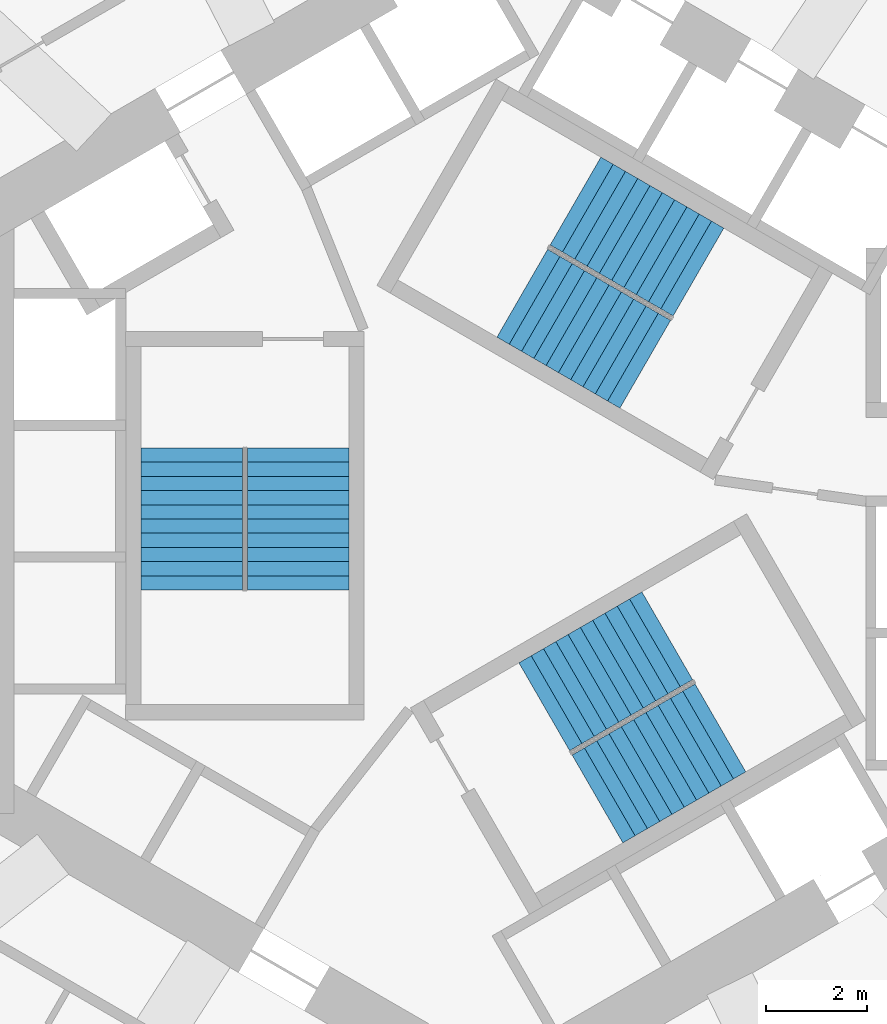
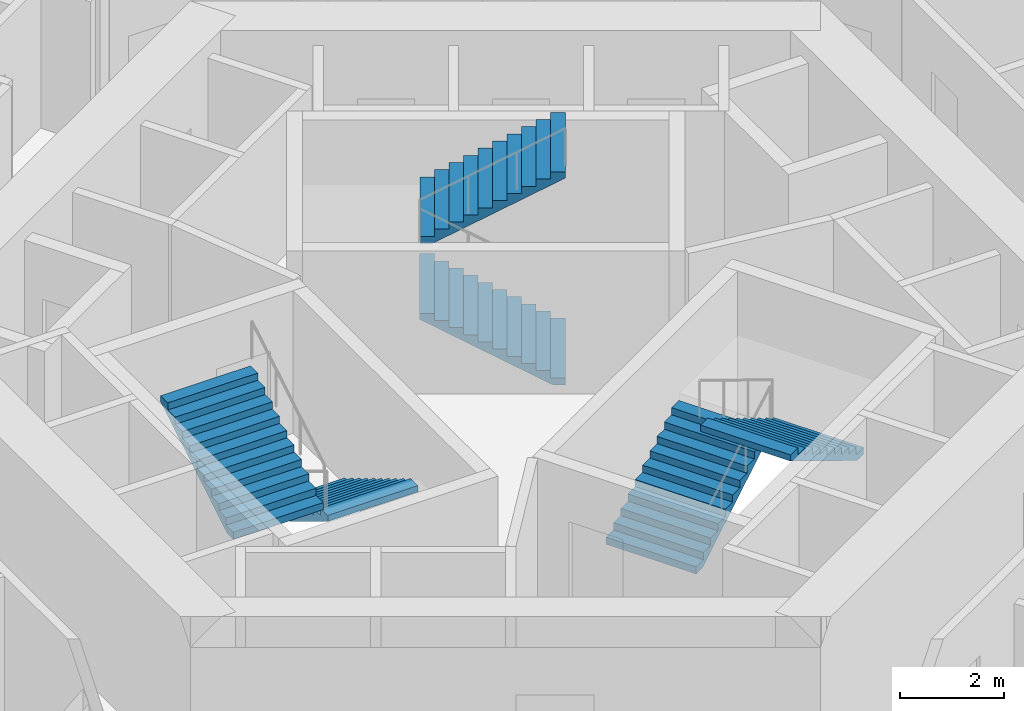
# One storey, part 9 of 11: 6 stair flights, 3 elements without a shape of their own.
"""IFC4 building model written with IfcOpenShell, lengths in metres."""

from ifc_helpers import new_model, si_unit, direction, frame, origin, place, context, subcontext, project, spatial, triangles, source, transform, mapped, material, type_object, element, aggregate, save


model = new_model("IFC4")

# Units and contexts
model_context = context("Model", 3, precision=1e-05, world=origin(), true_north=direction((0.0, 1.0)))
body_context = subcontext(model_context, "Body", "Model", "MODEL_VIEW")
ifc_project = project(units=[si_unit("LENGTHUNIT", "METRE"), si_unit("AREAUNIT", "SQUARE_METRE"), si_unit("VOLUMEUNIT", "CUBIC_METRE"), si_unit("PLANEANGLEUNIT", "RADIAN"), si_unit("MASSUNIT", "GRAM", prefix="KILO")], contexts=[model_context])

# Site, building, storey
site_placement = place(None, origin())
site = spatial("IfcSite", under=ifc_project, at=site_placement, CompositionType="ELEMENT")
building_placement = place(site_placement, origin())
building = spatial("IfcBuilding", under=site, at=building_placement, Name="Vanh Sen Convention Tower", CompositionType="ELEMENT")
storey_placement = place(building_placement, frame((0.0, 0.0, 135.5)))
storey = spatial("IfcBuildingStorey", under=building, at=storey_placement, Name="L33", CompositionType="ELEMENT", Elevation=135.5)

# Stair, stair flights
ifc_material_1 = material(Name="Concrete C50/60", Category="concrete")
stair_type_1 = type_object("IfcStairType", Name="Exit stair ST1 22 risers at 168.2", PredefinedType="HALF_TURN_STAIR", material=ifc_material_1)
stair_1_placement = place(storey_placement, origin())
stair_1 = element("IfcStair", 1, at=stair_1_placement, inside=storey, type_object=stair_type_1, Name="Exit stair ST1 L33", PredefinedType="HALF_TURN_STAIR")
ifc_material_2 = material(Name="Concrete C40/50", Category="concrete")
stair_flight_type = type_object("IfcStairFlightType", Name="Stair flight 2000", PredefinedType="STRAIGHT", material=ifc_material_2)
shared_shape = source(origin(), body_context, "Body", "Tessellation", [
    triangles([(0.24267578125, 1.0, 0.0), (0.0, 1.0, 0.0), (0.0, 1.0, 0.168212890625), (0.280029296875, 1.0, 0.168212890625), (0.280029296875, 1.0, 0.33642578125), (0.56005859375, 1.0, 0.33642578125), (0.56005859375, 1.0, 0.504638671875), (0.840087890625, 1.0, 0.504638671875), (0.840087890625, 1.0, 0.672607421875), (1.1201171875, 1.0, 0.672607421875), (1.1201171875, 1.0, 0.8408203125), (1.39990234375, 1.0, 0.8408203125), (1.39990234375, 1.0, 1.009033203125), (1.679931640625, 1.0, 1.009033203125), (1.679931640625, 1.0, 1.17724609375), (1.9599609375, 1.0, 1.17724609375), (1.9599609375, 1.0, 1.345458984375), (2.239990234375, 1.0, 1.345458984375), (2.239990234375, 1.0, 1.513671875), (2.52001953125, 1.0, 1.513671875), (2.52001953125, 1.0, 1.681884765625), (2.800048828125, 1.0, 1.681884765625), (2.800048828125, 1.0, 1.535888671875), (0.24267578125, -1.0, 0.0), (0.0, -1.0, 0.0), (0.0, -1.0, 0.168212890625), (0.280029296875, -1.0, 0.168212890625), (0.280029296875, -1.0, 0.33642578125), (0.56005859375, -1.0, 0.33642578125), (0.56005859375, -1.0, 0.504638671875), (0.840087890625, -1.0, 0.504638671875), (0.840087890625, -1.0, 0.672607421875), (1.1201171875, -1.0, 0.672607421875), (1.1201171875, -1.0, 0.8408203125), (1.39990234375, -1.0, 0.8408203125), (1.39990234375, -1.0, 1.009033203125), (1.679931640625, -1.0, 1.009033203125), (1.679931640625, -1.0, 1.17724609375), (1.9599609375, -1.0, 1.17724609375), (1.9599609375, -1.0, 1.345458984375), (2.239990234375, -1.0, 1.345458984375), (2.239990234375, -1.0, 1.513671875), (2.52001953125, -1.0, 1.513671875), (2.52001953125, -1.0, 1.681884765625), (2.800048828125, -1.0, 1.681884765625), (2.800048828125, -1.0, 1.535888671875), (0.0, 0.0400390625, 0.0), (0.0, 0.0390625, 0.0), (0.0, 0.0380859375, 0.0), (0.0, 0.037109375, 0.0), (0.0, 0.035888671875, 0.0), (0.0, 0.034912109375, 0.0), (0.0, 0.033935546875, 0.0), (0.0, 0.032958984375, 0.0), (0.0, 0.031982421875, 0.0), (0.0, 0.031005859375, 0.0), (0.0, 0.030029296875, 0.0), (0.0, 0.029052734375, 0.0), (0.0, 0.028076171875, 0.0), (0.0, 0.027099609375, 0.0), (0.0, 0.02587890625, 0.0), (0.0, 0.02490234375, 0.0), (0.0, 0.02392578125, 0.0), (0.0, 0.02294921875, 0.0), (0.0, 0.02197265625, 0.0), (0.0, 0.02099609375, 0.0), (0.0, 0.02001953125, 0.0), (0.0, 0.01904296875, 0.0), (0.0, 0.01806640625, 0.0), (0.0, 0.01708984375, 0.0), (0.0, 0.01611328125, 0.0), (0.0, 0.014892578125, 0.0), (0.0, 0.013916015625, 0.0), (0.0, 0.012939453125, 0.0), (0.0, 0.011962890625, 0.0), (0.0, 0.010986328125, 0.0), (0.0, 0.010009765625, 0.0), (0.0, 0.009033203125, 0.0), (0.0, 0.008056640625, 0.0), (0.0, 0.007080078125, 0.0), (0.0, 0.006103515625, 0.0), (0.0, 0.0048828125, 0.0), (0.0, 0.00390625, 0.0), (0.0, 0.0029296875, 0.0), (0.0, 0.001953125, 0.0), (0.0, 0.0009765625, 0.0), (0.0, 0.0, 0.0), (0.0, -0.0009765625, 0.0), (0.0, -0.001953125, 0.0), (0.0, -0.0029296875, 0.0), (0.0, -0.00390625, 0.0), (0.0, -0.0048828125, 0.0), (0.0, -0.006103515625, 0.0), (0.0, -0.007080078125, 0.0), (0.0, -0.008056640625, 0.0), (0.0, -0.009033203125, 0.0), (0.0, -0.010009765625, 0.0), (0.0, -0.010986328125, 0.0), (0.0, -0.011962890625, 0.0), (0.0, -0.012939453125, 0.0), (0.0, -0.013916015625, 0.0), (0.0, -0.014892578125, 0.0), (0.0, -0.01611328125, 0.0), (0.0, -0.01708984375, 0.0), (0.0, -0.01806640625, 0.0), (0.0, -0.01904296875, 0.0), (0.0, -0.02001953125, 0.0), (0.0, -0.02099609375, 0.0), (0.0, -0.02197265625, 0.0), (0.0, -0.02294921875, 0.0), (0.0, -0.02392578125, 0.0), (0.0, -0.02490234375, 0.0), (0.0, -0.02587890625, 0.0), (0.0, -0.027099609375, 0.0), (0.0, -0.028076171875, 0.0), (0.0, -0.029052734375, 0.0), (0.0, -0.030029296875, 0.0), (0.0, -0.031005859375, 0.0), (0.0, -0.031982421875, 0.0), (0.0, -0.032958984375, 0.0), (0.0, -0.033935546875, 0.0), (0.0, -0.034912109375, 0.0), (0.0, -0.035888671875, 0.0), (0.0, -0.037109375, 0.0), (0.0, -0.0380859375, 0.0), (0.0, -0.0390625, 0.0), (0.0, -0.0400390625, 0.0), (0.0, 0.0400390625, 0.168212890625), (0.0, 0.0390625, 0.168212890625), (0.0, 0.0380859375, 0.168212890625), (0.0, 0.037109375, 0.168212890625), (0.0, 0.035888671875, 0.168212890625), (0.0, 0.034912109375, 0.168212890625), (0.0, 0.033935546875, 0.168212890625), (0.0, 0.032958984375, 0.168212890625), (0.0, 0.031982421875, 0.168212890625), (0.0, 0.031005859375, 0.168212890625), (0.0, 0.030029296875, 0.168212890625), (0.0, 0.029052734375, 0.168212890625), (0.0, 0.028076171875, 0.168212890625), (0.0, 0.027099609375, 0.168212890625), (0.0, 0.02587890625, 0.168212890625), (0.0, 0.02490234375, 0.168212890625), (0.0, 0.02392578125, 0.168212890625), (0.0, 0.02294921875, 0.168212890625), (0.0, 0.02197265625, 0.168212890625), (0.0, 0.02099609375, 0.168212890625), (0.0, 0.02001953125, 0.168212890625), (0.0, 0.01904296875, 0.168212890625), (0.0, 0.01806640625, 0.168212890625), (0.0, 0.01708984375, 0.168212890625), (0.0, 0.01611328125, 0.168212890625), (0.0, 0.014892578125, 0.168212890625), (0.0, 0.013916015625, 0.168212890625), (0.0, 0.012939453125, 0.168212890625), (0.0, 0.011962890625, 0.168212890625), (0.0, 0.010986328125, 0.168212890625), (0.0, 0.010009765625, 0.168212890625), (0.0, 0.009033203125, 0.168212890625), (0.0, 0.008056640625, 0.168212890625), (0.0, 0.007080078125, 0.168212890625), (0.0, 0.006103515625, 0.168212890625), (0.0, 0.0048828125, 0.168212890625), (0.0, 0.00390625, 0.168212890625), (0.0, 0.0029296875, 0.168212890625), (0.0, 0.001953125, 0.168212890625), (0.0, 0.0009765625, 0.168212890625), (0.0, 0.0, 0.168212890625), (0.0, -0.0009765625, 0.168212890625), (0.0, -0.001953125, 0.168212890625), (0.0, -0.0029296875, 0.168212890625), (0.0, -0.00390625, 0.168212890625), (0.0, -0.0048828125, 0.168212890625), (0.0, -0.006103515625, 0.168212890625), (0.0, -0.007080078125, 0.168212890625), (0.0, -0.008056640625, 0.168212890625), (0.0, -0.009033203125, 0.168212890625), (0.0, -0.010009765625, 0.168212890625), (0.0, -0.010986328125, 0.168212890625), (0.0, -0.011962890625, 0.168212890625), (0.0, -0.012939453125, 0.168212890625), (0.0, -0.013916015625, 0.168212890625), (0.0, -0.014892578125, 0.168212890625), (0.0, -0.01611328125, 0.168212890625), (0.0, -0.01708984375, 0.168212890625), (0.0, -0.01806640625, 0.168212890625), (0.0, -0.01904296875, 0.168212890625), (0.0, -0.02001953125, 0.168212890625), (0.0, -0.02099609375, 0.168212890625), (0.0, -0.02197265625, 0.168212890625), (0.0, -0.02294921875, 0.168212890625), (0.0, -0.02392578125, 0.168212890625), (0.0, -0.02490234375, 0.168212890625), (0.0, -0.02587890625, 0.168212890625), (0.0, -0.027099609375, 0.168212890625), (0.0, -0.028076171875, 0.168212890625), (0.0, -0.029052734375, 0.168212890625), (0.0, -0.030029296875, 0.168212890625), (0.0, -0.031005859375, 0.168212890625), (0.0, -0.031982421875, 0.168212890625), (0.0, -0.032958984375, 0.168212890625), (0.0, -0.033935546875, 0.168212890625), (0.0, -0.034912109375, 0.168212890625), (0.0, -0.035888671875, 0.168212890625), (0.0, -0.037109375, 0.168212890625), (0.0, -0.0380859375, 0.168212890625), (0.0, -0.0390625, 0.168212890625), (0.0, -0.0400390625, 0.168212890625), (0.280029296875, 0.0, 0.168212890625), (0.280029296875, 0.0, 0.33642578125), (0.56005859375, 0.0, 0.33642578125), (0.56005859375, 0.0, 0.504638671875), (0.840087890625, 0.0, 0.504638671875), (0.840087890625, 0.0, 0.672607421875), (1.1201171875, 0.0, 0.672607421875), (1.1201171875, 0.0, 0.8408203125), (1.39990234375, 0.0, 0.8408203125), (1.39990234375, 0.0, 1.009033203125), (1.679931640625, 0.0, 1.009033203125), (1.679931640625, 0.0, 1.17724609375), (1.9599609375, 0.0, 1.17724609375), (1.9599609375, 0.0, 1.345458984375), (2.239990234375, 0.0, 1.345458984375), (2.239990234375, 0.0, 1.513671875), (2.52001953125, 0.0, 1.513671875), (2.52001953125, 0.0, 1.681884765625), (2.800048828125, 0.0400390625, 1.681884765625), (2.800048828125, 0.0390625, 1.681884765625), (2.800048828125, 0.0380859375, 1.681884765625), (2.800048828125, 0.037109375, 1.681884765625), (2.800048828125, 0.035888671875, 1.681884765625), (2.800048828125, 0.034912109375, 1.681884765625), (2.800048828125, 0.033935546875, 1.681884765625), (2.800048828125, 0.032958984375, 1.681884765625), (2.800048828125, 0.031982421875, 1.681884765625), (2.800048828125, 0.031005859375, 1.681884765625), (2.800048828125, 0.030029296875, 1.681884765625), (2.800048828125, 0.029052734375, 1.681884765625), (2.800048828125, 0.028076171875, 1.681884765625), (2.800048828125, 0.027099609375, 1.681884765625), (2.800048828125, 0.02587890625, 1.681884765625), (2.800048828125, 0.02490234375, 1.681884765625), (2.800048828125, 0.02392578125, 1.681884765625), (2.800048828125, 0.02294921875, 1.681884765625), (2.800048828125, 0.02197265625, 1.681884765625), (2.800048828125, 0.02099609375, 1.681884765625), (2.800048828125, 0.02001953125, 1.681884765625), (2.800048828125, 0.01904296875, 1.681884765625), (2.800048828125, 0.01806640625, 1.681884765625), (2.800048828125, 0.01708984375, 1.681884765625), (2.800048828125, 0.01611328125, 1.681884765625), (2.800048828125, 0.014892578125, 1.681884765625), (2.800048828125, 0.013916015625, 1.681884765625), (2.800048828125, 0.012939453125, 1.681884765625), (2.800048828125, 0.011962890625, 1.681884765625), (2.800048828125, 0.010986328125, 1.681884765625), (2.800048828125, 0.010009765625, 1.681884765625), (2.800048828125, 0.009033203125, 1.681884765625), (2.800048828125, 0.008056640625, 1.681884765625), (2.800048828125, 0.007080078125, 1.681884765625), (2.800048828125, 0.006103515625, 1.681884765625), (2.800048828125, 0.0048828125, 1.681884765625), (2.800048828125, 0.00390625, 1.681884765625), (2.800048828125, 0.0029296875, 1.681884765625), (2.800048828125, 0.001953125, 1.681884765625), (2.800048828125, 0.0009765625, 1.681884765625), (2.800048828125, 0.0, 1.681884765625), (2.800048828125, -0.0009765625, 1.681884765625), (2.800048828125, -0.001953125, 1.681884765625), (2.800048828125, -0.0029296875, 1.681884765625), (2.800048828125, -0.00390625, 1.681884765625), (2.800048828125, -0.0048828125, 1.681884765625), (2.800048828125, -0.006103515625, 1.681884765625), (2.800048828125, -0.007080078125, 1.681884765625), (2.800048828125, -0.008056640625, 1.681884765625), (2.800048828125, -0.009033203125, 1.681884765625), (2.800048828125, -0.010009765625, 1.681884765625), (2.800048828125, -0.010986328125, 1.681884765625), (2.800048828125, -0.011962890625, 1.681884765625), (2.800048828125, -0.012939453125, 1.681884765625), (2.800048828125, -0.013916015625, 1.681884765625), (2.800048828125, -0.014892578125, 1.681884765625), (2.800048828125, -0.01611328125, 1.681884765625), (2.800048828125, -0.01708984375, 1.681884765625), (2.800048828125, -0.01806640625, 1.681884765625), (2.800048828125, -0.01904296875, 1.681884765625), (2.800048828125, -0.02001953125, 1.681884765625), (2.800048828125, -0.02099609375, 1.681884765625), (2.800048828125, -0.02197265625, 1.681884765625), (2.800048828125, -0.02294921875, 1.681884765625), (2.800048828125, -0.02392578125, 1.681884765625), (2.800048828125, -0.02490234375, 1.681884765625), (2.800048828125, -0.02587890625, 1.681884765625), (2.800048828125, -0.027099609375, 1.681884765625), (2.800048828125, -0.028076171875, 1.681884765625), (2.800048828125, -0.029052734375, 1.681884765625), (2.800048828125, -0.030029296875, 1.681884765625), (2.800048828125, -0.031005859375, 1.681884765625), (2.800048828125, -0.031982421875, 1.681884765625), (2.800048828125, -0.032958984375, 1.681884765625), (2.800048828125, -0.033935546875, 1.681884765625), (2.800048828125, -0.034912109375, 1.681884765625), (2.800048828125, -0.035888671875, 1.681884765625), (2.800048828125, -0.037109375, 1.681884765625), (2.800048828125, -0.0380859375, 1.681884765625), (2.800048828125, -0.0390625, 1.681884765625), (2.800048828125, -0.0400390625, 1.681884765625), (2.800048828125, 0.0400390625, 1.535888671875), (2.800048828125, 0.0390625, 1.535888671875), (2.800048828125, 0.0380859375, 1.535888671875), (2.800048828125, 0.037109375, 1.535888671875), (2.800048828125, 0.035888671875, 1.535888671875), (2.800048828125, 0.034912109375, 1.535888671875), (2.800048828125, 0.033935546875, 1.535888671875), (2.800048828125, 0.032958984375, 1.535888671875), (2.800048828125, 0.031982421875, 1.535888671875), (2.800048828125, 0.031005859375, 1.535888671875), (2.800048828125, 0.030029296875, 1.535888671875), (2.800048828125, 0.029052734375, 1.535888671875), (2.800048828125, 0.028076171875, 1.535888671875), (2.800048828125, 0.027099609375, 1.535888671875), (2.800048828125, 0.02587890625, 1.535888671875), (2.800048828125, 0.02490234375, 1.535888671875), (2.800048828125, 0.02392578125, 1.535888671875), (2.800048828125, 0.02294921875, 1.535888671875), (2.800048828125, 0.02197265625, 1.535888671875), (2.800048828125, 0.02099609375, 1.535888671875), (2.800048828125, 0.02001953125, 1.535888671875), (2.800048828125, 0.01904296875, 1.535888671875), (2.800048828125, 0.01806640625, 1.535888671875), (2.800048828125, 0.01708984375, 1.535888671875), (2.800048828125, 0.01611328125, 1.535888671875), (2.800048828125, 0.014892578125, 1.535888671875), (2.800048828125, 0.013916015625, 1.535888671875), (2.800048828125, 0.012939453125, 1.535888671875), (2.800048828125, 0.011962890625, 1.535888671875), (2.800048828125, 0.010986328125, 1.535888671875), (2.800048828125, 0.010009765625, 1.535888671875), (2.800048828125, 0.009033203125, 1.535888671875), (2.800048828125, 0.008056640625, 1.535888671875), (2.800048828125, 0.007080078125, 1.535888671875), (2.800048828125, 0.006103515625, 1.535888671875), (2.800048828125, 0.0048828125, 1.535888671875), (2.800048828125, 0.00390625, 1.535888671875), (2.800048828125, 0.0029296875, 1.535888671875), (2.800048828125, 0.001953125, 1.535888671875), (2.800048828125, 0.0009765625, 1.535888671875), (2.800048828125, 0.0, 1.535888671875), (2.800048828125, -0.0009765625, 1.535888671875), (2.800048828125, -0.001953125, 1.535888671875), (2.800048828125, -0.0029296875, 1.535888671875), (2.800048828125, -0.00390625, 1.535888671875), (2.800048828125, -0.0048828125, 1.535888671875), (2.800048828125, -0.006103515625, 1.535888671875), (2.800048828125, -0.007080078125, 1.535888671875), (2.800048828125, -0.008056640625, 1.535888671875), (2.800048828125, -0.009033203125, 1.535888671875), (2.800048828125, -0.010009765625, 1.535888671875), (2.800048828125, -0.010986328125, 1.535888671875), (2.800048828125, -0.011962890625, 1.535888671875), (2.800048828125, -0.012939453125, 1.535888671875), (2.800048828125, -0.013916015625, 1.535888671875), (2.800048828125, -0.014892578125, 1.535888671875), (2.800048828125, -0.01611328125, 1.535888671875), (2.800048828125, -0.01708984375, 1.535888671875), (2.800048828125, -0.01806640625, 1.535888671875), (2.800048828125, -0.01904296875, 1.535888671875), (2.800048828125, -0.02001953125, 1.535888671875), (2.800048828125, -0.02099609375, 1.535888671875), (2.800048828125, -0.02197265625, 1.535888671875), (2.800048828125, -0.02294921875, 1.535888671875), (2.800048828125, -0.02392578125, 1.535888671875), (2.800048828125, -0.02490234375, 1.535888671875), (2.800048828125, -0.02587890625, 1.535888671875), (2.800048828125, -0.027099609375, 1.535888671875), (2.800048828125, -0.028076171875, 1.535888671875), (2.800048828125, -0.029052734375, 1.535888671875), (2.800048828125, -0.030029296875, 1.535888671875), (2.800048828125, -0.031005859375, 1.535888671875), (2.800048828125, -0.031982421875, 1.535888671875), (2.800048828125, -0.032958984375, 1.535888671875), (2.800048828125, -0.033935546875, 1.535888671875), (2.800048828125, -0.034912109375, 1.535888671875), (2.800048828125, -0.035888671875, 1.535888671875), (2.800048828125, -0.037109375, 1.535888671875), (2.800048828125, -0.0380859375, 1.535888671875), (2.800048828125, -0.0390625, 1.535888671875), (2.800048828125, -0.0400390625, 1.535888671875), (0.24267578125, 0.0, 0.0)], [[1, 2, 3], [1, 3, 4], [4, 5, 6], [1, 4, 6], [6, 7, 8], [1, 6, 8], [8, 9, 10], [1, 8, 10], [10, 11, 12], [1, 10, 12], [12, 13, 14], [1, 12, 14], [14, 15, 16], [1, 14, 16], [16, 17, 18], [1, 16, 18], [18, 19, 20], [1, 18, 20], [20, 21, 22], [1, 20, 22], [22, 23, 1], [24, 26, 25], [24, 27, 26], [27, 29, 28], [24, 29, 27], [29, 31, 30], [24, 31, 29], [31, 33, 32], [24, 33, 31], [33, 35, 34], [24, 35, 33], [35, 37, 36], [24, 37, 35], [37, 39, 38], [24, 39, 37], [39, 41, 40], [24, 41, 39], [41, 43, 42], [24, 43, 41], [43, 45, 44], [24, 45, 43], [45, 24, 46], [2, 128, 3], [2, 47, 128], [47, 129, 128], [47, 48, 129], [48, 130, 129], [48, 49, 130], [49, 131, 130], [49, 50, 131], [50, 132, 131], [50, 51, 132], [51, 133, 132], [51, 52, 133], [52, 134, 133], [52, 53, 134], [53, 135, 134], [53, 54, 135], [54, 136, 135], [54, 55, 136], [55, 137, 136], [55, 56, 137], [56, 138, 137], [56, 57, 138], [57, 139, 138], [57, 58, 139], [58, 140, 139], [58, 59, 140], [59, 141, 140], [59, 60, 141], [60, 142, 141], [60, 61, 142], [61, 143, 142], [61, 62, 143], [62, 144, 143], [62, 63, 144], [63, 145, 144], [63, 64, 145], [64, 146, 145], [64, 65, 146], [65, 147, 146], [65, 66, 147], [66, 148, 147], [66, 67, 148], [67, 149, 148], [67, 68, 149], [68, 150, 149], [68, 69, 150], [69, 151, 150], [69, 70, 151], [70, 152, 151], [70, 71, 152], [71, 153, 152], [71, 72, 153], [72, 154, 153], [72, 73, 154], [73, 155, 154], [73, 74, 155], [74, 156, 155], [74, 75, 156], [75, 157, 156], [75, 76, 157], [76, 158, 157], [76, 77, 158], [77, 159, 158], [77, 78, 159], [78, 160, 159], [78, 79, 160], [79, 161, 160], [79, 80, 161], [80, 162, 161], [80, 81, 162], [81, 163, 162], [81, 82, 163], [82, 164, 163], [82, 83, 164], [83, 165, 164], [83, 84, 165], [84, 166, 165], [84, 85, 166], [85, 167, 166], [85, 86, 167], [86, 168, 167], [86, 87, 168], [87, 88, 168], [168, 88, 169], [88, 89, 169], [169, 89, 170], [89, 90, 170], [170, 90, 171], [90, 91, 171], [171, 91, 172], [91, 92, 172], [172, 92, 173], [92, 93, 173], [173, 93, 174], [93, 94, 174], [174, 94, 175], [94, 95, 175], [175, 95, 176], [95, 96, 176], [176, 96, 177], [96, 97, 177], [177, 97, 178], [97, 98, 178], [178, 98, 179], [98, 99, 179], [179, 99, 180], [99, 100, 180], [180, 100, 181], [100, 101, 181], [181, 101, 182], [101, 102, 182], [182, 102, 183], [102, 103, 183], [183, 103, 184], [103, 104, 184], [184, 104, 185], [104, 105, 185], [185, 105, 186], [105, 106, 186], [186, 106, 187], [106, 107, 187], [187, 107, 188], [107, 108, 188], [188, 108, 189], [108, 109, 189], [189, 109, 190], [109, 110, 190], [190, 110, 191], [110, 111, 191], [191, 111, 192], [111, 112, 192], [192, 112, 193], [112, 113, 193], [193, 113, 194], [113, 114, 194], [194, 114, 195], [114, 115, 195], [195, 115, 196], [115, 116, 196], [196, 116, 197], [116, 117, 197], [197, 117, 198], [117, 118, 198], [198, 118, 199], [118, 119, 199], [199, 119, 200], [119, 120, 200], [200, 120, 201], [120, 121, 201], [201, 121, 202], [121, 122, 202], [202, 122, 203], [122, 123, 203], [203, 123, 204], [123, 124, 204], [204, 124, 205], [124, 125, 205], [205, 125, 206], [125, 126, 206], [206, 126, 207], [126, 127, 207], [207, 127, 208], [127, 25, 208], [208, 25, 26], [4, 3, 128], [4, 128, 129], [4, 129, 130], [4, 130, 131], [4, 131, 132], [4, 132, 133], [4, 133, 134], [4, 134, 135], [4, 135, 136], [4, 136, 137], [4, 137, 138], [4, 138, 139], [4, 139, 140], [4, 140, 141], [4, 141, 142], [4, 142, 143], [4, 143, 144], [4, 144, 145], [4, 145, 146], [4, 146, 147], [4, 147, 148], [4, 148, 149], [4, 149, 150], [4, 150, 151], [4, 151, 152], [4, 152, 153], [4, 153, 154], [4, 154, 155], [4, 155, 156], [4, 156, 157], [4, 157, 158], [4, 158, 159], [4, 159, 160], [4, 160, 161], [4, 161, 162], [4, 162, 163], [4, 163, 164], [4, 164, 165], [4, 165, 166], [4, 166, 167], [4, 167, 168], [27, 168, 169], [27, 169, 170], [27, 170, 171], [27, 171, 172], [27, 172, 173], [27, 173, 174], [27, 174, 175], [27, 175, 176], [27, 176, 177], [27, 177, 178], [27, 178, 179], [27, 179, 180], [27, 180, 181], [27, 181, 182], [27, 182, 183], [27, 183, 184], [27, 184, 185], [27, 185, 186], [27, 186, 187], [27, 187, 188], [27, 188, 189], [27, 189, 190], [27, 190, 191], [27, 191, 192], [27, 192, 193], [27, 193, 194], [27, 194, 195], [27, 195, 196], [27, 196, 197], [27, 197, 198], [27, 198, 199], [27, 199, 200], [27, 200, 201], [27, 201, 202], [27, 202, 203], [27, 203, 204], [27, 204, 205], [27, 205, 206], [27, 206, 207], [27, 207, 208], [27, 208, 26], [4, 168, 209], [27, 209, 168], [4, 210, 5], [4, 209, 210], [209, 27, 210], [210, 27, 28], [5, 211, 6], [5, 210, 211], [210, 28, 211], [211, 28, 29], [6, 212, 7], [6, 211, 212], [211, 29, 212], [212, 29, 30], [7, 213, 8], [7, 212, 213], [212, 30, 213], [213, 30, 31], [8, 214, 9], [8, 213, 214], [213, 31, 214], [214, 31, 32], [9, 215, 10], [9, 214, 215], [214, 32, 215], [215, 32, 33], [10, 216, 11], [10, 215, 216], [215, 33, 216], [216, 33, 34], [11, 217, 12], [11, 216, 217], [216, 34, 217], [217, 34, 35], [12, 218, 13], [12, 217, 218], [217, 35, 218], [218, 35, 36], [13, 219, 14], [13, 218, 219], [218, 36, 219], [219, 36, 37], [14, 220, 15], [14, 219, 220], [219, 37, 220], [220, 37, 38], [15, 221, 16], [15, 220, 221], [220, 38, 221], [221, 38, 39], [16, 222, 17], [16, 221, 222], [221, 39, 222], [222, 39, 40], [17, 223, 18], [17, 222, 223], [222, 40, 223], [223, 40, 41], [18, 224, 19], [18, 223, 224], [223, 41, 224], [224, 41, 42], [19, 225, 20], [19, 224, 225], [224, 42, 225], [225, 42, 43], [20, 226, 21], [20, 225, 226], [225, 43, 226], [226, 43, 44], [21, 227, 22], [21, 228, 227], [21, 229, 228], [21, 230, 229], [21, 231, 230], [21, 232, 231], [21, 233, 232], [21, 234, 233], [21, 235, 234], [21, 236, 235], [21, 237, 236], [21, 238, 237], [21, 239, 238], [21, 240, 239], [21, 241, 240], [21, 242, 241], [21, 243, 242], [21, 244, 243], [21, 245, 244], [21, 246, 245], [21, 247, 246], [21, 248, 247], [21, 249, 248], [21, 250, 249], [21, 251, 250], [21, 252, 251], [21, 253, 252], [21, 254, 253], [21, 255, 254], [21, 256, 255], [21, 257, 256], [21, 258, 257], [21, 259, 258], [21, 260, 259], [21, 261, 260], [21, 262, 261], [21, 263, 262], [21, 264, 263], [21, 265, 264], [21, 266, 265], [21, 267, 266], [44, 268, 267], [44, 269, 268], [44, 270, 269], [44, 271, 270], [44, 272, 271], [44, 273, 272], [44, 274, 273], [44, 275, 274], [44, 276, 275], [44, 277, 276], [44, 278, 277], [44, 279, 278], [44, 280, 279], [44, 281, 280], [44, 282, 281], [44, 283, 282], [44, 284, 283], [44, 285, 284], [44, 286, 285], [44, 287, 286], [44, 288, 287], [44, 289, 288], [44, 290, 289], [44, 291, 290], [44, 292, 291], [44, 293, 292], [44, 294, 293], [44, 295, 294], [44, 296, 295], [44, 297, 296], [44, 298, 297], [44, 299, 298], [44, 300, 299], [44, 301, 300], [44, 302, 301], [44, 303, 302], [44, 304, 303], [44, 305, 304], [44, 306, 305], [44, 307, 306], [44, 45, 307], [21, 226, 267], [44, 267, 226], [22, 308, 23], [22, 227, 308], [227, 309, 308], [227, 228, 309], [228, 310, 309], [228, 229, 310], [229, 311, 310], [229, 230, 311], [230, 312, 311], [230, 231, 312], [231, 313, 312], [231, 232, 313], [232, 314, 313], [232, 233, 314], [233, 315, 314], [233, 234, 315], [234, 316, 315], [234, 235, 316], [235, 317, 316], [235, 236, 317], [236, 318, 317], [236, 237, 318], [237, 319, 318], [237, 238, 319], [238, 320, 319], [238, 239, 320], [239, 321, 320], [239, 240, 321], [240, 322, 321], [240, 241, 322], [241, 323, 322], [241, 242, 323], [242, 324, 323], [242, 243, 324], [243, 325, 324], [243, 244, 325], [244, 326, 325], [244, 245, 326], [245, 327, 326], [245, 246, 327], [246, 328, 327], [246, 247, 328], [247, 329, 328], [247, 248, 329], [248, 330, 329], [248, 249, 330], [249, 331, 330], [249, 250, 331], [250, 332, 331], [250, 251, 332], [251, 333, 332], [251, 252, 333], [252, 334, 333], [252, 253, 334], [253, 335, 334], [253, 254, 335], [254, 336, 335], [254, 255, 336], [255, 337, 336], [255, 256, 337], [256, 338, 337], [256, 257, 338], [257, 339, 338], [257, 258, 339], [258, 340, 339], [258, 259, 340], [259, 341, 340], [259, 260, 341], [260, 342, 341], [260, 261, 342], [261, 343, 342], [261, 262, 343], [262, 344, 343], [262, 263, 344], [263, 345, 344], [263, 264, 345], [264, 346, 345], [264, 265, 346], [265, 347, 346], [265, 266, 347], [266, 348, 347], [266, 267, 348], [267, 268, 348], [348, 268, 349], [268, 269, 349], [349, 269, 350], [269, 270, 350], [350, 270, 351], [270, 271, 351], [351, 271, 352], [271, 272, 352], [352, 272, 353], [272, 273, 353], [353, 273, 354], [273, 274, 354], [354, 274, 355], [274, 275, 355], [355, 275, 356], [275, 276, 356], [356, 276, 357], [276, 277, 357], [357, 277, 358], [277, 278, 358], [358, 278, 359], [278, 279, 359], [359, 279, 360], [279, 280, 360], [360, 280, 361], [280, 281, 361], [361, 281, 362], [281, 282, 362], [362, 282, 363], [282, 283, 363], [363, 283, 364], [283, 284, 364], [364, 284, 365], [284, 285, 365], [365, 285, 366], [285, 286, 366], [366, 286, 367], [286, 287, 367], [367, 287, 368], [287, 288, 368], [368, 288, 369], [288, 289, 369], [369, 289, 370], [289, 290, 370], [370, 290, 371], [290, 291, 371], [371, 291, 372], [291, 292, 372], [372, 292, 373], [292, 293, 373], [373, 293, 374], [293, 294, 374], [374, 294, 375], [294, 295, 375], [375, 295, 376], [295, 296, 376], [376, 296, 377], [296, 297, 377], [377, 297, 378], [297, 298, 378], [378, 298, 379], [298, 299, 379], [379, 299, 380], [299, 300, 380], [380, 300, 381], [300, 301, 381], [381, 301, 382], [301, 302, 382], [382, 302, 383], [302, 303, 383], [383, 303, 384], [303, 304, 384], [384, 304, 385], [304, 305, 385], [385, 305, 386], [305, 306, 386], [386, 306, 387], [306, 307, 387], [387, 307, 388], [307, 45, 388], [388, 45, 46], [1, 23, 308], [1, 308, 309], [1, 309, 310], [1, 310, 311], [1, 311, 312], [1, 312, 313], [1, 313, 314], [1, 314, 315], [1, 315, 316], [1, 316, 317], [1, 317, 318], [1, 318, 319], [1, 319, 320], [1, 320, 321], [1, 321, 322], [1, 322, 323], [1, 323, 324], [1, 324, 325], [1, 325, 326], [1, 326, 327], [1, 327, 328], [1, 328, 329], [1, 329, 330], [1, 330, 331], [1, 331, 332], [1, 332, 333], [1, 333, 334], [1, 334, 335], [1, 335, 336], [1, 336, 337], [1, 337, 338], [1, 338, 339], [1, 339, 340], [1, 340, 341], [1, 341, 342], [1, 342, 343], [1, 343, 344], [1, 344, 345], [1, 345, 346], [1, 346, 347], [1, 347, 348], [24, 348, 349], [24, 349, 350], [24, 350, 351], [24, 351, 352], [24, 352, 353], [24, 353, 354], [24, 354, 355], [24, 355, 356], [24, 356, 357], [24, 357, 358], [24, 358, 359], [24, 359, 360], [24, 360, 361], [24, 361, 362], [24, 362, 363], [24, 363, 364], [24, 364, 365], [24, 365, 366], [24, 366, 367], [24, 367, 368], [24, 368, 369], [24, 369, 370], [24, 370, 371], [24, 371, 372], [24, 372, 373], [24, 373, 374], [24, 374, 375], [24, 375, 376], [24, 376, 377], [24, 377, 378], [24, 378, 379], [24, 379, 380], [24, 380, 381], [24, 381, 382], [24, 382, 383], [24, 383, 384], [24, 384, 385], [24, 385, 386], [24, 386, 387], [24, 387, 388], [24, 388, 46], [1, 348, 389], [24, 389, 348], [1, 47, 2], [1, 48, 47], [1, 49, 48], [1, 50, 49], [1, 51, 50], [1, 52, 51], [1, 53, 52], [1, 54, 53], [1, 55, 54], [1, 56, 55], [1, 57, 56], [1, 58, 57], [1, 59, 58], [1, 60, 59], [1, 61, 60], [1, 62, 61], [1, 63, 62], [1, 64, 63], [1, 65, 64], [1, 66, 65], [1, 67, 66], [1, 68, 67], [1, 69, 68], [1, 70, 69], [1, 71, 70], [1, 72, 71], [1, 73, 72], [1, 74, 73], [1, 75, 74], [1, 76, 75], [1, 77, 76], [1, 78, 77], [1, 79, 78], [1, 80, 79], [1, 81, 80], [1, 82, 81], [1, 83, 82], [1, 84, 83], [1, 85, 84], [1, 86, 85], [1, 87, 86], [24, 88, 87], [24, 89, 88], [24, 90, 89], [24, 91, 90], [24, 92, 91], [24, 93, 92], [24, 94, 93], [24, 95, 94], [24, 96, 95], [24, 97, 96], [24, 98, 97], [24, 99, 98], [24, 100, 99], [24, 101, 100], [24, 102, 101], [24, 103, 102], [24, 104, 103], [24, 105, 104], [24, 106, 105], [24, 107, 106], [24, 108, 107], [24, 109, 108], [24, 110, 109], [24, 111, 110], [24, 112, 111], [24, 113, 112], [24, 114, 113], [24, 115, 114], [24, 116, 115], [24, 117, 116], [24, 118, 117], [24, 119, 118], [24, 120, 119], [24, 121, 120], [24, 122, 121], [24, 123, 122], [24, 124, 123], [24, 125, 124], [24, 126, 125], [24, 127, 126], [24, 25, 127], [1, 389, 87], [24, 87, 389]], closed=True),
])
stair_flight_1_placement = place(storey_placement, frame((2.94580078125, 2.802490234375, 0.0), z_axis=(0.0, 0.0, 1.0), x_axis=(-0.866025403784, 0.5, 0.0)))
stair_flight_1 = element("IfcStairFlight", 2, at=stair_flight_1_placement, type_object=stair_flight_type, Name="ST1 flight 1", NumberOfRisers=11, NumberOfTreads=10, PredefinedType="STRAIGHT", RiserHeight=0.168181818, TreadLength=0.28, context=body_context, shape_type="MappedRepresentation", body=[
    mapped(shared_shape, transform((0.0, 0.0, 0.0))),
])
stair_flight_2_placement = place(storey_placement, frame((1.571044921875, 6.021240234375, 1.85009765625), z_axis=(0.0, 0.0, 1.0), x_axis=(0.866025403784, -0.5, 0.0)))
stair_flight_2 = element("IfcStairFlight", 3, at=stair_flight_2_placement, type_object=stair_flight_type, Name="ST1 flight 2", NumberOfRisers=11, NumberOfTreads=10, PredefinedType="STRAIGHT", RiserHeight=0.168181818, TreadLength=0.28, context=body_context, shape_type="MappedRepresentation", body=[
    mapped(shared_shape, transform((0.0, 0.0, 0.0))),
])
aggregate(stair_1, [stair_flight_1, stair_flight_2])

stair_type_2 = type_object("IfcStairType", Name="Exit stair ST2 22 risers at 168.2", PredefinedType="HALF_TURN_STAIR", material=ifc_material_1)
stair_2_placement = place(storey_placement, origin())
stair_2 = element("IfcStair", 4, at=stair_2_placement, inside=storey, type_object=stair_type_2, Name="Exit stair ST2 L33", PredefinedType="HALF_TURN_STAIR")
stair_flight_3_placement = place(storey_placement, frame((-3.89990234375, 1.14990234375, 0.0), z_axis=(0.0, 0.0, 1.0), x_axis=(0.0, -1.0, 0.0)))
stair_flight_3 = element("IfcStairFlight", 5, at=stair_flight_3_placement, type_object=stair_flight_type, Name="ST2 flight 1", NumberOfRisers=11, NumberOfTreads=10, PredefinedType="STRAIGHT", RiserHeight=0.168181818, TreadLength=0.28, context=body_context, shape_type="MappedRepresentation", body=[
    mapped(shared_shape, transform((0.0, 0.0, 0.0))),
])
stair_flight_4_placement = place(storey_placement, frame((-6.0, -1.64990234375, 1.85009765625), z_axis=(0.0, 0.0, 1.0), x_axis=(0.0, 1.0, 0.0)))
stair_flight_4 = element("IfcStairFlight", 6, at=stair_flight_4_placement, type_object=stair_flight_type, Name="ST2 flight 2", NumberOfRisers=11, NumberOfTreads=10, PredefinedType="STRAIGHT", RiserHeight=0.168181818, TreadLength=0.28, context=body_context, shape_type="MappedRepresentation", body=[
    mapped(shared_shape, transform((0.0, 0.0, 0.0))),
])
aggregate(stair_2, [stair_flight_3, stair_flight_4])

stair_type_3 = type_object("IfcStairType", Name="Exit stair ST3 22 risers at 168.2", PredefinedType="HALF_TURN_STAIR", material=ifc_material_1)
stair_3_placement = place(storey_placement, origin())
stair_3 = element("IfcStair", 7, at=stair_3_placement, inside=storey, type_object=stair_type_3, Name="Exit stair ST3 L33", PredefinedType="HALF_TURN_STAIR")
stair_flight_5_placement = place(storey_placement, frame((0.9541015625, -3.952392578125, 0.0), z_axis=(0.0, 0.0, 1.0), x_axis=(0.866025403784, 0.5, 0.0)))
stair_flight_5 = element("IfcStairFlight", 8, at=stair_flight_5_placement, type_object=stair_flight_type, Name="ST3 flight 1", NumberOfRisers=11, NumberOfTreads=10, PredefinedType="STRAIGHT", RiserHeight=0.168181818, TreadLength=0.28, context=body_context, shape_type="MappedRepresentation", body=[
    mapped(shared_shape, transform((0.0, 0.0, 0.0))),
])
stair_flight_6_placement = place(storey_placement, frame((4.428955078125, -4.37109375, 1.85009765625), z_axis=(0.0, 0.0, 1.0), x_axis=(-0.866025403784, -0.5, 0.0)))
stair_flight_6 = element("IfcStairFlight", 9, at=stair_flight_6_placement, type_object=stair_flight_type, Name="ST3 flight 2", NumberOfRisers=11, NumberOfTreads=10, PredefinedType="STRAIGHT", RiserHeight=0.168181818, TreadLength=0.28, context=body_context, shape_type="MappedRepresentation", body=[
    mapped(shared_shape, transform((0.0, 0.0, 0.0))),
])
aggregate(stair_3, [stair_flight_5, stair_flight_6])

save(model, "model.ifc")
